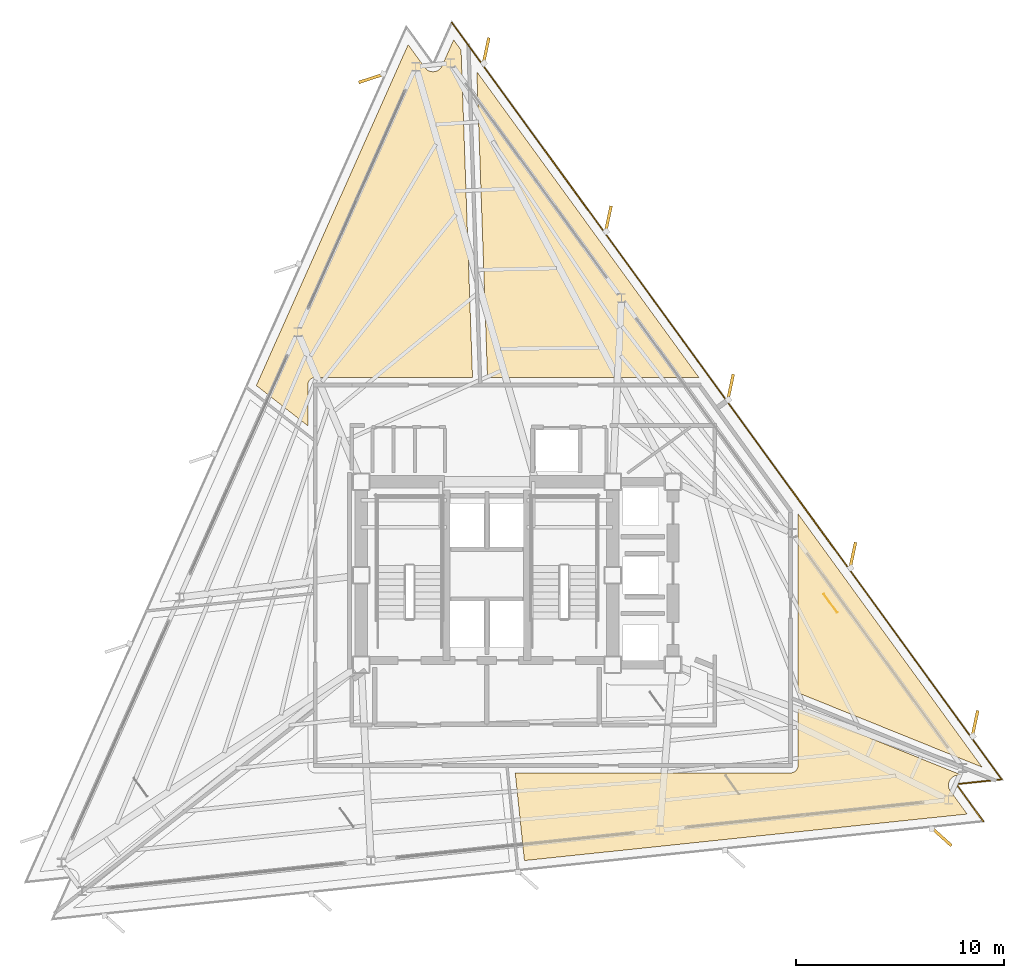
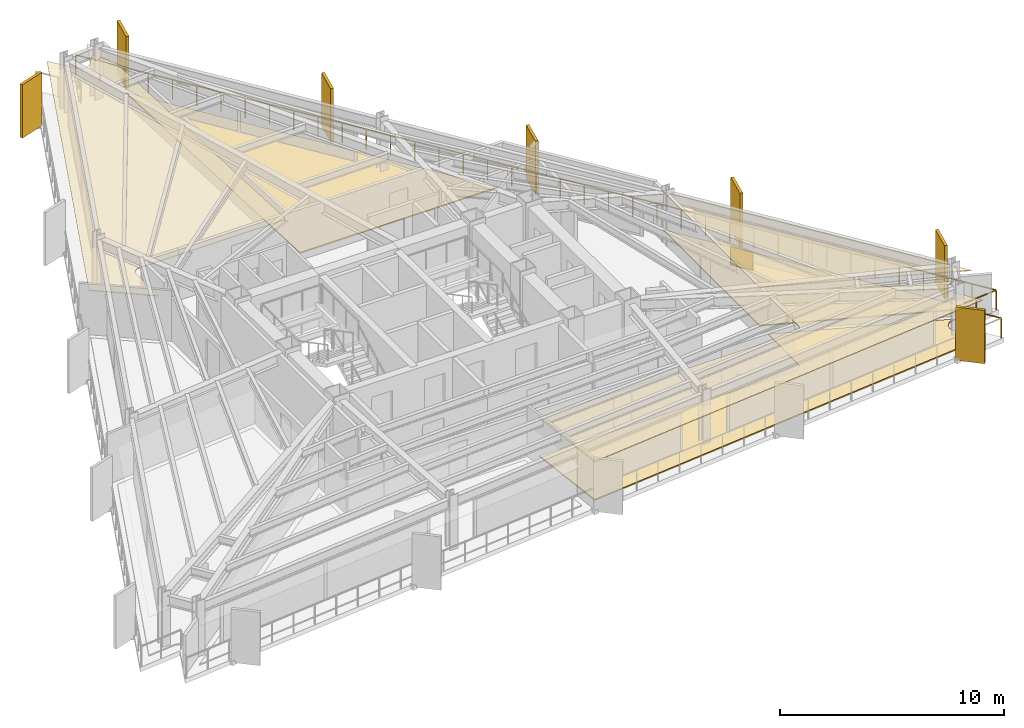
# One storey, part 12 of 12: 7 coverings, 7 shading devices, 1 railing.
"""IFC4 building model written with IfcOpenShell, lengths in metres."""

from ifc_helpers import new_model, si_unit, direction, frame, origin, origin_2d, place, context, subcontext, project, spatial, polyline, rectangle, outline, extrude, material, layer, layer_set, type_object, element, save


model = new_model("IFC4")

# Units and contexts
model_context = context("Model", 3, precision=1e-05, world=origin(), true_north=direction((0.0, 1.0)))
body_context = subcontext(model_context, "Body", "Model", "MODEL_VIEW")
ifc_project = project(units=[si_unit("LENGTHUNIT", "METRE"), si_unit("AREAUNIT", "SQUARE_METRE"), si_unit("VOLUMEUNIT", "CUBIC_METRE"), si_unit("PLANEANGLEUNIT", "RADIAN"), si_unit("MASSUNIT", "GRAM", prefix="KILO")], contexts=[model_context])

# Site, building, storey
site_placement = place(None, origin())
site = spatial("IfcSite", under=ifc_project, at=site_placement, CompositionType="ELEMENT")
building_placement = place(site_placement, origin())
building = spatial("IfcBuilding", under=site, at=building_placement, Name="Rocaltana Carrier Exchange", CompositionType="ELEMENT")
storey_placement = place(building_placement, frame((0.0, 0.0, 110.719970703125)))
storey = spatial("IfcBuildingStorey", under=building, at=storey_placement, Name="L34", CompositionType="ELEMENT", Elevation=110.719970703125)

# Coverings
ifc_material_1 = material(Name="Calcium Sulphate & Aluminium Pedestal", Category="aluminium")
ifc_layer_1 = layer(ifc_material_1, 0.06005859375)
ifc_layer_set_1 = layer_set([ifc_layer_1], Name="Calcium Sulphate & Aluminium Pedestal")
covering_type_1 = type_object("IfcCoveringType", Name="Anti-Static Raised Exchange Access Floor 60", PredefinedType="FLOORING", material=ifc_layer_set_1)
covering_1_placement = place(storey_placement, origin())
element("IfcCovering", 1, at=covering_1_placement, inside=storey, type_object=covering_type_1, Name="L34 Cloud Architecture Office Finish Floor", PredefinedType="FLOORING", context=body_context, shape_type="SweptSolid", body=[
    extrude(outline(polyline([(22.62939453125, -9.620361328125), (22.61572265625, -9.6220703125), (22.595947265625, -9.625244140625), (22.568603515625, -9.630859375), (22.54931640625, -9.635986328125), (22.522705078125, -9.644287109375), (22.50390625, -9.651123046875), (22.478271484375, -9.662109375), (22.46044921875, -9.6708984375), (22.43603515625, -9.684326171875), (22.4189453125, -9.69482421875), (22.39599609375, -9.710693359375), (22.380126953125, -9.722900390625), (22.35888671875, -9.74072265625), (22.344482421875, -9.75439453125), (22.324951171875, -9.774658203125), (22.311767578125, -9.78955078125), (22.294677734375, -9.8115234375), (22.282958984375, -9.82763671875), (22.26806640625, -9.851318359375), (22.258056640625, -9.86865234375), (22.24560546875, -9.8935546875), (22.2373046875, -9.91162109375), (22.227294921875, -9.937744140625), (22.220947265625, -9.956787109375), (22.213623046875, -9.983642578125), (22.209228515625, -10.0029296875), (22.20458984375, -10.030517578125), (22.2021484375, -10.05029296875), (22.2001953125, -10.078125), (22.19970703125, -10.09814453125), (22.20068359375, -10.1259765625), (22.202392578125, -10.14599609375), (22.205810546875, -10.173583984375), (22.20947265625, -10.193115234375), (22.2158203125, -10.220458984375), (22.22119140625, -10.239501953125), (22.230224609375, -10.26611328125), (22.23779296875, -10.284423828125), (22.249267578125, -10.309814453125), (22.258544921875, -10.32763671875), (22.272705078125, -10.351806640625), (22.283447265625, -10.368408203125), (22.29150390625, -10.3798828125), (23.095947265625, -11.487060546875), (1.804443359375, -13.724853515625), (1.361572265625, -9.510009765625), (14.60009765625, -9.510009765625), (14.61376953125, -9.509765625), (14.62158203125, -9.50927734375), (14.64892578125, -9.506591796875), (14.65673828125, -9.50537109375), (14.68359375, -9.5), (14.69140625, -9.498291015625), (14.717529296875, -9.490234375), (14.724853515625, -9.487548828125), (14.750244140625, -9.47705078125), (14.75732421875, -9.4736328125), (14.78173828125, -9.460693359375), (14.788330078125, -9.456787109375), (14.811279296875, -9.44140625), (14.8173828125, -9.436767578125), (14.8388671875, -9.419189453125), (14.844482421875, -9.4140625), (14.864013671875, -9.39453125), (14.869384765625, -9.388916015625), (14.88671875, -9.367431640625), (14.891357421875, -9.361083984375), (14.90673828125, -9.33837890625), (14.91064453125, -9.331787109375), (14.923583984375, -9.307373046875), (14.927001953125, -9.30029296875), (14.9375, -9.27490234375), (14.940185546875, -9.267578125), (14.9482421875, -9.2412109375), (14.9501953125, -9.233642578125), (14.955322265625, -9.206787109375), (14.95654296875, -9.198974609375), (14.959228515625, -9.171630859375), (14.959716796875, -9.163818359375), (14.9599609375, -9.14990234375), (14.9599609375, -6.4326171875), (22.8046875, -9.601806640625), (22.62939453125, -9.620361328125)])), origin(), (0.0, 0.0, 1.0), 0.06005859375),
])
covering_2_placement = place(storey_placement, origin())
element("IfcCovering", 2, at=covering_2_placement, inside=storey, type_object=covering_type_1, Name="L34 Peering Conference Room Finish Floor", PredefinedType="FLOORING", context=body_context, shape_type="SweptSolid", body=[
    extrude(outline(polyline([(14.9599609375, 2.952392578125), (23.813232421875, -9.23291015625), (14.9599609375, -5.656005859375), (14.9599609375, 2.952392578125)])), origin(), (0.0, 0.0, 1.0), 0.06005859375),
])
covering_3_placement = place(storey_placement, origin())
element("IfcCovering", 3, at=covering_3_placement, inside=storey, type_object=covering_type_1, Name="L34 Quiet Focus Lounge Finish Floor", PredefinedType="FLOORING", context=body_context, shape_type="SweptSolid", body=[
    extrude(outline(polyline([(10.19580078125, 9.510009765625), (0.028076171875, 9.510009765625), (-0.485107421875, 24.2109375), (10.19580078125, 9.510009765625)])), origin(), (0.0, 0.0, 1.0), 0.06005859375),
])
ifc_material_2 = material(Name="Mineral Fibre & Powder-Coated Aluminium", Category="aluminium")
ifc_layer_2 = layer(ifc_material_2, 0.044921875)
ifc_layer_set_2 = layer_set([ifc_layer_2], Name="Mineral Fibre & Powder-Coated Aluminium")
covering_type_2 = type_object("IfcCoveringType", Name="Micro-Perforated Acoustic Ceiling 45", PredefinedType="CEILING", material=ifc_layer_set_2)
covering_4_placement = place(storey_placement, frame((0.0, 0.0, 2.093017578125)))
element("IfcCovering", 4, at=covering_4_placement, inside=storey, type_object=covering_type_2, Name="L34 Cloud Architecture Office Acoustic Ceiling", PredefinedType="CEILING", context=body_context, shape_type="SweptSolid", body=[
    extrude(outline(polyline([(22.62939453125, -9.620361328125), (22.61572265625, -9.6220703125), (22.595947265625, -9.625244140625), (22.568603515625, -9.630859375), (22.54931640625, -9.635986328125), (22.522705078125, -9.644287109375), (22.50390625, -9.651123046875), (22.478271484375, -9.662109375), (22.46044921875, -9.6708984375), (22.43603515625, -9.684326171875), (22.4189453125, -9.69482421875), (22.39599609375, -9.710693359375), (22.380126953125, -9.722900390625), (22.35888671875, -9.74072265625), (22.344482421875, -9.75439453125), (22.324951171875, -9.774658203125), (22.311767578125, -9.78955078125), (22.294677734375, -9.8115234375), (22.282958984375, -9.82763671875), (22.26806640625, -9.851318359375), (22.258056640625, -9.86865234375), (22.24560546875, -9.8935546875), (22.2373046875, -9.91162109375), (22.227294921875, -9.937744140625), (22.220947265625, -9.956787109375), (22.213623046875, -9.983642578125), (22.209228515625, -10.0029296875), (22.20458984375, -10.030517578125), (22.2021484375, -10.05029296875), (22.2001953125, -10.078125), (22.19970703125, -10.09814453125), (22.20068359375, -10.1259765625), (22.202392578125, -10.14599609375), (22.205810546875, -10.173583984375), (22.20947265625, -10.193115234375), (22.2158203125, -10.220458984375), (22.22119140625, -10.239501953125), (22.230224609375, -10.26611328125), (22.23779296875, -10.284423828125), (22.249267578125, -10.309814453125), (22.258544921875, -10.32763671875), (22.272705078125, -10.351806640625), (22.283447265625, -10.368408203125), (22.29150390625, -10.3798828125), (23.095947265625, -11.487060546875), (1.804443359375, -13.724853515625), (1.361572265625, -9.510009765625), (14.60009765625, -9.510009765625), (14.61376953125, -9.509765625), (14.62158203125, -9.50927734375), (14.64892578125, -9.506591796875), (14.65673828125, -9.50537109375), (14.68359375, -9.5), (14.69140625, -9.498291015625), (14.717529296875, -9.490234375), (14.724853515625, -9.487548828125), (14.750244140625, -9.47705078125), (14.75732421875, -9.4736328125), (14.78173828125, -9.460693359375), (14.788330078125, -9.456787109375), (14.811279296875, -9.44140625), (14.8173828125, -9.436767578125), (14.8388671875, -9.419189453125), (14.844482421875, -9.4140625), (14.864013671875, -9.39453125), (14.869384765625, -9.388916015625), (14.88671875, -9.367431640625), (14.891357421875, -9.361083984375), (14.90673828125, -9.33837890625), (14.91064453125, -9.331787109375), (14.923583984375, -9.307373046875), (14.927001953125, -9.30029296875), (14.9375, -9.27490234375), (14.940185546875, -9.267578125), (14.9482421875, -9.2412109375), (14.9501953125, -9.233642578125), (14.955322265625, -9.206787109375), (14.95654296875, -9.198974609375), (14.959228515625, -9.171630859375), (14.959716796875, -9.163818359375), (14.9599609375, -9.14990234375), (14.9599609375, -6.4326171875), (22.8046875, -9.601806640625), (22.62939453125, -9.620361328125)])), origin(), (0.0, 0.0, 1.0), 0.044921875),
])
covering_5_placement = place(storey_placement, frame((0.0, 0.0, 2.093017578125)))
element("IfcCovering", 5, at=covering_5_placement, inside=storey, type_object=covering_type_2, Name="L34 Peering Conference Room Acoustic Ceiling", PredefinedType="CEILING", context=body_context, shape_type="SweptSolid", body=[
    extrude(outline(polyline([(14.9599609375, 2.952392578125), (23.813232421875, -9.23291015625), (14.9599609375, -5.656005859375), (14.9599609375, 2.952392578125)])), origin(), (0.0, 0.0, 1.0), 0.044921875),
])
covering_6_placement = place(storey_placement, frame((0.0, 0.0, 2.093017578125)))
element("IfcCovering", 6, at=covering_6_placement, inside=storey, type_object=covering_type_2, Name="L34 Cloud Architecture Office Acoustic Ceiling", PredefinedType="CEILING", context=body_context, shape_type="SweptSolid", body=[
    extrude(outline(polyline([(-3.787841796875, 25.51513671875), (-2.9833984375, 24.407958984375), (-2.974853515625, 24.39697265625), (-2.96240234375, 24.38134765625), (-2.943603515625, 24.360595703125), (-2.9296875, 24.34619140625), (-2.9091796875, 24.327392578125), (-2.893798828125, 24.314697265625), (-2.87158203125, 24.2978515625), (-2.85498046875, 24.286865234375), (-2.8310546875, 24.272216796875), (-2.8134765625, 24.262939453125), (-2.788330078125, 24.2509765625), (-2.77001953125, 24.243408203125), (-2.74365234375, 24.23388671875), (-2.724609375, 24.22802734375), (-2.697509765625, 24.22119140625), (-2.677978515625, 24.217529296875), (-2.650390625, 24.21337890625), (-2.630615234375, 24.211669921875), (-2.6025390625, 24.210205078125), (-2.58251953125, 24.21044921875), (-2.5546875, 24.2119140625), (-2.534912109375, 24.214111328125), (-2.50732421875, 24.21826171875), (-2.48779296875, 24.222412109375), (-2.460693359375, 24.2294921875), (-2.44189453125, 24.2353515625), (-2.41552734375, 24.2451171875), (-2.397216796875, 24.2529296875), (-2.372314453125, 24.26513671875), (-2.354736328125, 24.274658203125), (-2.3310546875, 24.289306640625), (-2.314697265625, 24.30078125), (-2.29248046875, 24.317626953125), (-2.277099609375, 24.33056640625), (-2.2568359375, 24.349609375), (-2.242919921875, 24.364013671875), (-2.224609375, 24.385009765625), (-2.212158203125, 24.400634765625), (-2.196044921875, 24.42333984375), (-2.185302734375, 24.440185546875), (-2.17138671875, 24.464599609375), (-2.16259765625, 24.482421875), (-2.156494140625, 24.494873046875), (-1.599853515625, 25.7451171875), (-1.2421875, 25.252685546875), (-0.6923828125, 9.510009765625), (-8.25, 9.510009765625), (-8.263671875, 9.509765625), (-8.271484375, 9.50927734375), (-8.298828125, 9.506591796875), (-8.306640625, 9.50537109375), (-8.33349609375, 9.5), (-8.34130859375, 9.498291015625), (-8.36767578125, 9.490234375), (-8.375, 9.487548828125), (-8.400390625, 9.47705078125), (-8.407470703125, 9.4736328125), (-8.431640625, 9.460693359375), (-8.4384765625, 9.456787109375), (-8.461181640625, 9.44140625), (-8.467529296875, 9.436767578125), (-8.48876953125, 9.419189453125), (-8.49462890625, 9.4140625), (-8.513916015625, 9.39453125), (-8.519287109375, 9.388916015625), (-8.53662109375, 9.367431640625), (-8.54150390625, 9.361083984375), (-8.556640625, 9.33837890625), (-8.560791015625, 9.331787109375), (-8.57373046875, 9.307373046875), (-8.576904296875, 9.30029296875), (-8.58740234375, 9.27490234375), (-8.590087890625, 9.267578125), (-8.59814453125, 9.2412109375), (-8.60009765625, 9.233642578125), (-8.60546875, 9.206787109375), (-8.606689453125, 9.198974609375), (-8.609375, 9.171630859375), (-8.609619140625, 9.163818359375), (-8.610107421875, 9.14990234375), (-8.610107421875, 7.18359375), (-11.087646484375, 9.119384765625), (-3.787841796875, 25.51513671875)])), origin(), (0.0, 0.0, 1.0), 0.044921875),
])
ifc_material_3 = material(Name="Honed Piedra Muneca Sandstone", Category="masonry")
ifc_layer_3 = layer(ifc_material_3, 0.034912109375)
ifc_layer_set_3 = layer_set([ifc_layer_3], Name="Honed Piedra Muneca Sandstone")
covering_type_3 = type_object("IfcCoveringType", Name="Stone Facade Cladding 35", PredefinedType="CLADDING", material=ifc_layer_set_3)
covering_7_placement = place(storey_placement, frame((16.523681640625, -1.351806640625, 0.0), z_axis=(0.0, 0.0, 1.0), x_axis=(-0.587785252292, 0.809016994375, 0.0)))
element("IfcCovering", 7, at=covering_7_placement, inside=storey, type_object=covering_type_3, Name="L34 Stone Facade Cladding Panel 5", PredefinedType="CLADDING", context=body_context, shape_type="SweptSolid", body=[
    extrude(rectangle(XDim=1.10009765625, YDim=0.034912109375, at=origin_2d()), origin(), (0.0, 0.0, 1.0), 1.050048828125),
])

# Shading devices
ifc_material_4 = material(Name="Honed Bogota Sandstone & Concrete C45/55", Category="masonry")
ifc_layer_4 = layer(ifc_material_4, 0.139892578125)
ifc_layer_set_4 = layer_set([ifc_layer_4], Name="Honed Bogota Sandstone & Concrete C45/55")
shading_device_type = type_object("IfcShadingDeviceType", Name="Vertical Sandstone Shading Fin 1320x140", PredefinedType="USERDEFINED", material=ifc_layer_set_4)
for number, where, z_axis, x_axis, name in (
    (8, (23.46826171875, -7.15771484375, -0.1201171875), (0.0, 0.0, 1.0), (0.207911690818, 0.978147600734, 0.0), "L34 Sandstone Vertical Fin F1-01"),
    (9, (17.590576171875, 0.932373046875, -0.1201171875), (0.0, 0.0, 1.0), (0.207911690818, 0.978147600734, 0.0), "L34 Sandstone Vertical Fin F1-02"),
    (10, (11.712646484375, 9.0224609375, -0.1201171875), (0.0, 0.0, 1.0), (0.207911690818, 0.978147600734, 0.0), "L34 Sandstone Vertical Fin F1-03"),
    (11, (5.834716796875, 17.11279296875, -0.1201171875), (0.0, 0.0, 1.0), (0.207911690818, 0.978147600734, 0.0), "L34 Sandstone Vertical Fin F1-04"),
    (12, (-0.043212890625, 25.202880859375, -0.1201171875), (0.0, 0.0, 1.0), (0.207911690818, 0.978147600734, 0.0), "L34 Sandstone Vertical Fin F1-05"),
    (13, (-5.535400390625, 23.903076171875, -0.1201171875), (0.0, 0.0, 1.0), (-0.951056516295, -0.309016994375, 0.0), "L34 Sandstone Vertical Fin F2-01"),
    (14, (21.847900390625, -12.564208984375, -0.1201171875), (0.0, 0.0, 1.0), (0.743144825477, -0.669130606359, 0.0), "L34 Sandstone Vertical Fin F3-05"),
):
    element("IfcShadingDevice", number, at=place(storey_placement, frame(where, z_axis=z_axis, x_axis=x_axis)), inside=storey, type_object=shading_device_type, Name=name, ObjectType="FIN", PredefinedType="USERDEFINED", context=body_context, shape_type="SweptSolid", body=[
        extrude(rectangle(XDim=1.320068359375, YDim=0.139892578125, at=origin_2d()), origin(), (0.0, 0.0, 1.0), 2.907958984375),
    ])

# Railing
ifc_material_5 = material(Name="Powder-Coated Aluminium 6063-T6", Category="aluminium")
ifc_layer_5 = layer(ifc_material_5, 0.06005859375)
ifc_layer_set_5 = layer_set([ifc_layer_5], Name="Powder-Coated Aluminium 6063-T6")
railing_type = type_object("IfcRailingType", Name="Wind-Floor & Terrace Perimeter Guardrail 1100", PredefinedType="GUARDRAIL", material=ifc_layer_set_5)
railing_placement = place(storey_placement, frame((-1.687744140625, 26.58056640625, 0.0)))
element("IfcRailing", 15, at=railing_placement, inside=storey, type_object=railing_type, Name="L34 Perimeter Balcony Guardrail 3", PredefinedType="GUARDRAIL", context=body_context, shape_type="SweptSolid", body=[
    extrude(rectangle(XDim=0.048095703125, YDim=0.048095703125, at=origin_2d()), frame((0.0, 0.0, 1.076171875), z_axis=(0.587786393813, -0.809016165011, 0.0), x_axis=(0.809016165011, 0.587786393813, 0.0)), (0.0, 0.0, 1.0), 44.9921875),
    extrude(rectangle(XDim=0.048095703125, YDim=0.048095703125, at=origin_2d()), frame((26.44580078125, -36.3994140625, 1.076171875), z_axis=(-0.994521251134, -0.104534592565, 0.0), x_axis=(0.104534592565, -0.994521251134, 0.0)), (0.0, 0.0, 1.0), 2.199951171875),
    extrude(rectangle(XDim=0.048095703125, YDim=0.048095703125, at=origin_2d()), frame((24.2578125, -36.62939453125, 1.076171875), z_axis=(0.587821928992, -0.808990345923, 0.0), x_axis=(0.808990345923, 0.587821928992, 0.0)), (0.0, 0.0, 1.0), 2.199951171875),
    extrude(rectangle(XDim=0.0419921875, YDim=0.0419921875, at=origin_2d()), origin(), (0.0, 0.0, 1.0), 1.052001953125),
    extrude(rectangle(XDim=0.0419921875, YDim=0.0419921875, at=origin_2d()), frame((0.696044921875, -0.957763671875, 0.0)), (0.0, 0.0, 1.0), 1.052001953125),
    extrude(rectangle(XDim=0.0419921875, YDim=0.0419921875, at=origin_2d()), frame((1.391845703125, -1.915771484375, 0.0)), (0.0, 0.0, 1.0), 1.052001953125),
    extrude(rectangle(XDim=0.0419921875, YDim=0.0419921875, at=origin_2d()), frame((2.087890625, -2.87353515625, 0.0)), (0.0, 0.0, 1.0), 1.052001953125),
    extrude(rectangle(XDim=0.0419921875, YDim=0.0419921875, at=origin_2d()), frame((2.78369140625, -3.83154296875, 0.0)), (0.0, 0.0, 1.0), 1.052001953125),
    extrude(rectangle(XDim=0.0419921875, YDim=0.0419921875, at=origin_2d()), frame((3.479736328125, -4.789306640625, 0.0)), (0.0, 0.0, 1.0), 1.052001953125),
    extrude(rectangle(XDim=0.0419921875, YDim=0.0419921875, at=origin_2d()), frame((4.175537109375, -5.747314453125, 0.0)), (0.0, 0.0, 1.0), 1.052001953125),
    extrude(rectangle(XDim=0.0419921875, YDim=0.0419921875, at=origin_2d()), frame((4.87158203125, -6.705078125, 0.0)), (0.0, 0.0, 1.0), 1.052001953125),
    extrude(rectangle(XDim=0.0419921875, YDim=0.0419921875, at=origin_2d()), frame((5.567626953125, -7.6630859375, 0.0)), (0.0, 0.0, 1.0), 1.052001953125),
    extrude(rectangle(XDim=0.0419921875, YDim=0.0419921875, at=origin_2d()), frame((6.263427734375, -8.620849609375, 0.0)), (0.0, 0.0, 1.0), 1.052001953125),
    extrude(rectangle(XDim=0.0419921875, YDim=0.0419921875, at=origin_2d()), frame((6.95947265625, -9.578857421875, 0.0)), (0.0, 0.0, 1.0), 1.052001953125),
    extrude(rectangle(XDim=0.0419921875, YDim=0.0419921875, at=origin_2d()), frame((7.6552734375, -10.53662109375, 0.0)), (0.0, 0.0, 1.0), 1.052001953125),
    extrude(rectangle(XDim=0.0419921875, YDim=0.0419921875, at=origin_2d()), frame((8.351318359375, -11.49462890625, 0.0)), (0.0, 0.0, 1.0), 1.052001953125),
    extrude(rectangle(XDim=0.0419921875, YDim=0.0419921875, at=origin_2d()), frame((9.04736328125, -12.452392578125, 0.0)), (0.0, 0.0, 1.0), 1.052001953125),
    extrude(rectangle(XDim=0.0419921875, YDim=0.0419921875, at=origin_2d()), frame((9.7431640625, -13.410400390625, 0.0)), (0.0, 0.0, 1.0), 1.052001953125),
    extrude(rectangle(XDim=0.0419921875, YDim=0.0419921875, at=origin_2d()), frame((10.439208984375, -14.3681640625, 0.0)), (0.0, 0.0, 1.0), 1.052001953125),
    extrude(rectangle(XDim=0.0419921875, YDim=0.0419921875, at=origin_2d()), frame((11.135009765625, -15.326171875, 0.0)), (0.0, 0.0, 1.0), 1.052001953125),
    extrude(rectangle(XDim=0.0419921875, YDim=0.0419921875, at=origin_2d()), frame((11.8310546875, -16.283935546875, 0.0)), (0.0, 0.0, 1.0), 1.052001953125),
    extrude(rectangle(XDim=0.0419921875, YDim=0.0419921875, at=origin_2d()), frame((12.52685546875, -17.241943359375, 0.0)), (0.0, 0.0, 1.0), 1.052001953125),
    extrude(rectangle(XDim=0.0419921875, YDim=0.0419921875, at=origin_2d()), frame((13.222900390625, -18.19970703125, 0.0)), (0.0, 0.0, 1.0), 1.052001953125),
    extrude(rectangle(XDim=0.0419921875, YDim=0.0419921875, at=origin_2d()), frame((13.9189453125, -19.157470703125, 0.0)), (0.0, 0.0, 1.0), 1.052001953125),
    extrude(rectangle(XDim=0.0419921875, YDim=0.0419921875, at=origin_2d()), frame((14.61474609375, -20.115478515625, 0.0)), (0.0, 0.0, 1.0), 1.052001953125),
    extrude(rectangle(XDim=0.0419921875, YDim=0.0419921875, at=origin_2d()), frame((15.310791015625, -21.0732421875, 0.0)), (0.0, 0.0, 1.0), 1.052001953125),
    extrude(rectangle(XDim=0.0419921875, YDim=0.0419921875, at=origin_2d()), frame((16.006591796875, -22.03125, 0.0)), (0.0, 0.0, 1.0), 1.052001953125),
    extrude(rectangle(XDim=0.0419921875, YDim=0.0419921875, at=origin_2d()), frame((16.70263671875, -22.989013671875, 0.0)), (0.0, 0.0, 1.0), 1.052001953125),
    extrude(rectangle(XDim=0.0419921875, YDim=0.0419921875, at=origin_2d()), frame((17.3984375, -23.947021484375, 0.0)), (0.0, 0.0, 1.0), 1.052001953125),
    extrude(rectangle(XDim=0.0419921875, YDim=0.0419921875, at=origin_2d()), frame((18.094482421875, -24.90478515625, 0.0)), (0.0, 0.0, 1.0), 1.052001953125),
    extrude(rectangle(XDim=0.0419921875, YDim=0.0419921875, at=origin_2d()), frame((18.79052734375, -25.86279296875, 0.0)), (0.0, 0.0, 1.0), 1.052001953125),
    extrude(rectangle(XDim=0.0419921875, YDim=0.0419921875, at=origin_2d()), frame((19.486328125, -26.820556640625, 0.0)), (0.0, 0.0, 1.0), 1.052001953125),
    extrude(rectangle(XDim=0.0419921875, YDim=0.0419921875, at=origin_2d()), frame((20.182373046875, -27.778564453125, 0.0)), (0.0, 0.0, 1.0), 1.052001953125),
    extrude(rectangle(XDim=0.0419921875, YDim=0.0419921875, at=origin_2d()), frame((20.878173828125, -28.736328125, 0.0)), (0.0, 0.0, 1.0), 1.052001953125),
    extrude(rectangle(XDim=0.0419921875, YDim=0.0419921875, at=origin_2d()), frame((21.57421875, -29.6943359375, 0.0)), (0.0, 0.0, 1.0), 1.052001953125),
    extrude(rectangle(XDim=0.0419921875, YDim=0.0419921875, at=origin_2d()), frame((22.270263671875, -30.652099609375, 0.0)), (0.0, 0.0, 1.0), 1.052001953125),
    extrude(rectangle(XDim=0.0419921875, YDim=0.0419921875, at=origin_2d()), frame((22.966064453125, -31.610107421875, 0.0)), (0.0, 0.0, 1.0), 1.052001953125),
    extrude(rectangle(XDim=0.0419921875, YDim=0.0419921875, at=origin_2d()), frame((23.662109375, -32.56787109375, 0.0)), (0.0, 0.0, 1.0), 1.052001953125),
    extrude(rectangle(XDim=0.0419921875, YDim=0.0419921875, at=origin_2d()), frame((24.35791015625, -33.52587890625, 0.0)), (0.0, 0.0, 1.0), 1.052001953125),
    extrude(rectangle(XDim=0.0419921875, YDim=0.0419921875, at=origin_2d()), frame((25.053955078125, -34.483642578125, 0.0)), (0.0, 0.0, 1.0), 1.052001953125),
    extrude(rectangle(XDim=0.0419921875, YDim=0.0419921875, at=origin_2d()), frame((25.749755859375, -35.441650390625, 0.0)), (0.0, 0.0, 1.0), 1.052001953125),
    extrude(rectangle(XDim=0.0419921875, YDim=0.0419921875, at=origin_2d()), frame((26.44580078125, -36.3994140625, 0.0)), (0.0, 0.0, 1.0), 1.052001953125),
    extrude(rectangle(XDim=0.0419921875, YDim=0.0419921875, at=origin_2d()), frame((25.351806640625, -36.514404296875, 0.0)), (0.0, 0.0, 1.0), 1.052001953125),
    extrude(rectangle(XDim=0.0419921875, YDim=0.0419921875, at=origin_2d()), frame((24.2578125, -36.62939453125, 0.0)), (0.0, 0.0, 1.0), 1.052001953125),
    extrude(rectangle(XDim=0.0419921875, YDim=0.0419921875, at=origin_2d()), frame((24.904296875, -37.519287109375, 0.0)), (0.0, 0.0, 1.0), 1.052001953125),
    extrude(rectangle(XDim=0.0419921875, YDim=0.0419921875, at=origin_2d()), frame((25.551025390625, -38.4091796875, 0.0)), (0.0, 0.0, 1.0), 1.052001953125),
])

save(model, "model.ifc")
